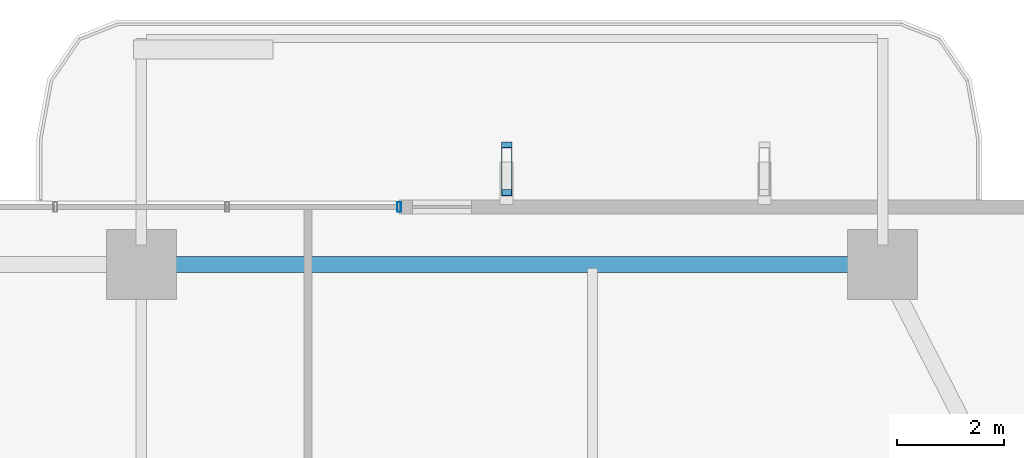
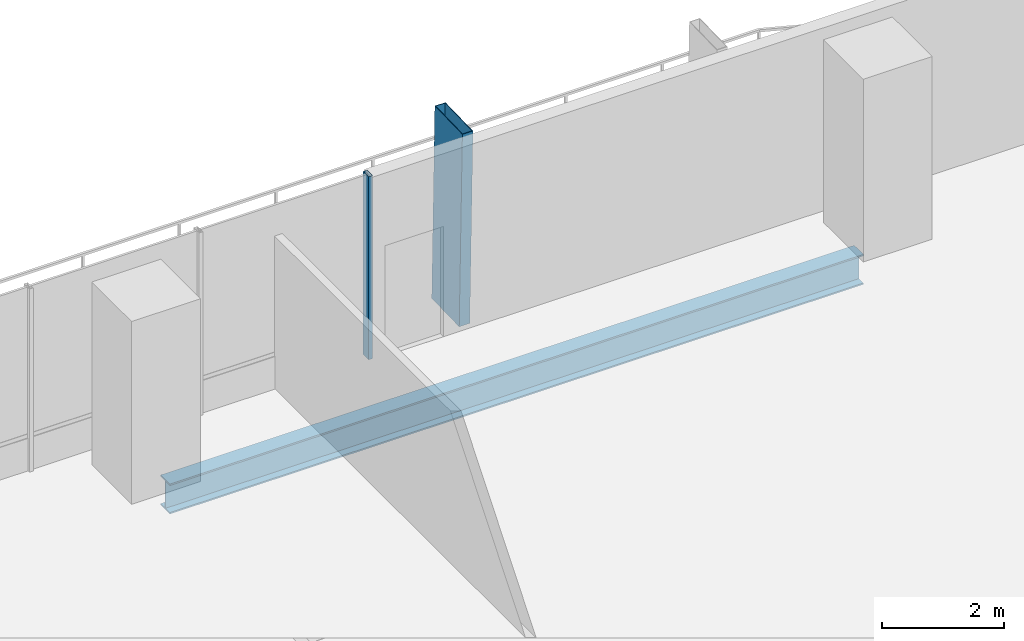
# One storey, part 15 of 23: 2 members, 1 beam, 1 element without a shape of its own.
"""IFC4 building model written with IfcOpenShell, lengths in metres."""

from ifc_helpers import new_model, si_unit, direction, frame, origin, origin_2d, place, context, subcontext, project, spatial, hollow_rectangle, i_section, extrude, material, layer, layer_set, material_profile, profile_set, type_object, element, aggregate, save


model = new_model("IFC4")

# Units and contexts
model_context = context("Model", 3, precision=1e-05, world=origin(), true_north=direction((0.0, 1.0)))
body_context = subcontext(model_context, "Body", "Model", "MODEL_VIEW")
ifc_project = project(units=[si_unit("LENGTHUNIT", "METRE"), si_unit("AREAUNIT", "SQUARE_METRE"), si_unit("VOLUMEUNIT", "CUBIC_METRE"), si_unit("PLANEANGLEUNIT", "RADIAN"), si_unit("MASSUNIT", "GRAM", prefix="KILO")], contexts=[model_context])

# Site, building, storey
site_placement = place(None, origin())
site = spatial("IfcSite", under=ifc_project, at=site_placement, CompositionType="ELEMENT")
building_placement = place(site_placement, origin())
building = spatial("IfcBuilding", under=site, at=building_placement, Name="Belovzor Exchange Tower", CompositionType="ELEMENT")
storey_placement = place(building_placement, frame((0.0, 0.0, 125.10009765625)))
storey = spatial("IfcBuildingStorey", under=building, at=storey_placement, Name="L30", CompositionType="ELEMENT", Elevation=125.10009765625)

# Member
ifc_material_1 = material(Name="Extruded Architectural Terracotta on Steel S355 Carrier", Category="masonry")
ifc_material_profile_1 = material_profile(ifc_material_1, hollow_rectangle(XDim=0.199951171875, YDim=0.89990234375, WallThickness=0.011962890625, at=origin_2d()))
ifc_profile_set_1 = profile_set([ifc_material_profile_1], Name="Extruded Architectural Terracotta on Steel S355 Carrier")
member_type_1 = type_object("IfcMemberType", Name="Sweeping Terracotta Baguette Fin Assembly 1250", PredefinedType="USERDEFINED", material=ifc_profile_set_1)
member_1_placement = place(storey_placement, frame((35.60009765625, 55.528076171875, -0.25), z_axis=(0.0, -0.026408715329, 0.999651229057), x_axis=(1.0, 0.0, 0.0)))
element("IfcMember", 1, at=member_1_placement, inside=storey, type_object=member_type_1, Name="FIN-TC125 Terracotta Facade Fin L30 N3", ObjectType="FIN", PredefinedType="USERDEFINED", context=body_context, shape_type="SweptSolid", body=[
    extrude(hollow_rectangle(XDim=0.199951171875, YDim=0.89990234375, WallThickness=0.011962890625, at=origin_2d()), origin(), (0.0, 0.0, 1.0), 3.9013671875),
])

# Curtain wall, member
ifc_material_2 = material(Name="Anodised Aluminium Framing", Category="aluminium")
ifc_layer = layer(ifc_material_2, 0.179931640625)
ifc_layer_set = layer_set([ifc_layer], Name="Anodised Aluminium Framing")
curtain_wall_type = type_object("IfcCurtainWallType", Name="Recessed Loggia Low-Iron Triple-Glazed Curtain Wall", PredefinedType="NOTDEFINED", material=ifc_layer_set)
curtain_wall_placement = place(storey_placement, origin())
curtain_wall = element("IfcCurtainWall", 2, at=curtain_wall_placement, inside=storey, type_object=curtain_wall_type, Name="CW3 Recessed Loggia Low-Iron Triple-Glazed Curtain Wall L30", PredefinedType="NOTDEFINED")
ifc_material_3 = material(Name="Steel S355", Category="steel")
ifc_material_profile_2 = material_profile(ifc_material_3, hollow_rectangle(XDim=0.074951171875, YDim=0.179931640625, WallThickness=0.0048828125, at=origin_2d()))
ifc_profile_set_2 = profile_set([ifc_material_profile_2], Name="Steel S355")
member_type_2 = type_object("IfcMemberType", Name="Thermally Broken Curtain Wall Mullion 180x75", PredefinedType="MULLION", material=ifc_profile_set_2)
member_2_placement = place(storey_placement, frame((33.60009765625, 54.77001953125, 0.0), z_axis=(0.0, 0.0, 1.0), x_axis=(1.0, 0.0, 0.0)))
member_2 = element("IfcMember", 3, at=member_2_placement, type_object=member_type_2, Name="CW-M180 Curtain Wall Mullion 4", PredefinedType="MULLION", context=body_context, shape_type="SweptSolid", body=[
    extrude(hollow_rectangle(XDim=0.074951171875, YDim=0.179931640625, WallThickness=0.0048828125, at=origin_2d()), origin(), (0.0, 0.0, 1.0), 3.64990234375),
])
aggregate(curtain_wall, [member_2])

# Beam
ifc_material_4 = material(Name="Steel S355", Category="steel")
ifc_material_profile_3 = material_profile(ifc_material_4, i_section(OverallWidth=0.300048828125, OverallDepth=0.60009765625, WebThickness=0.015380859375, FlangeThickness=0.030029296875, at=origin_2d()))
ifc_profile_set_3 = profile_set([ifc_material_profile_3], Name="Steel S355")
beam_type = type_object("IfcBeamType", Name="Zone 2 Primary Perimeter Girder HEB 600", PredefinedType="BEAM", material=ifc_profile_set_3)
beam_placement = place(storey_placement, frame((42.241943359375, 53.699951171875, -0.550048828125), z_axis=(-1.0, 0.0, 0.0), x_axis=(0.0, -1.0, 0.0)))
element("IfcBeam", 4, at=beam_placement, inside=storey, type_object=beam_type, Name="FG-Z2 Zone 2 Primary Perimeter Girder HEB 600", PredefinedType="BEAM", context=body_context, shape_type="SweptSolid", body=[
    extrude(i_section(OverallWidth=0.300048828125, OverallDepth=0.60009765625, WebThickness=0.015380859375, FlangeThickness=0.030029296875, at=origin_2d()), origin(), (0.0, 0.0, 1.0), 13.083984375),
])

save(model, "model.ifc")
